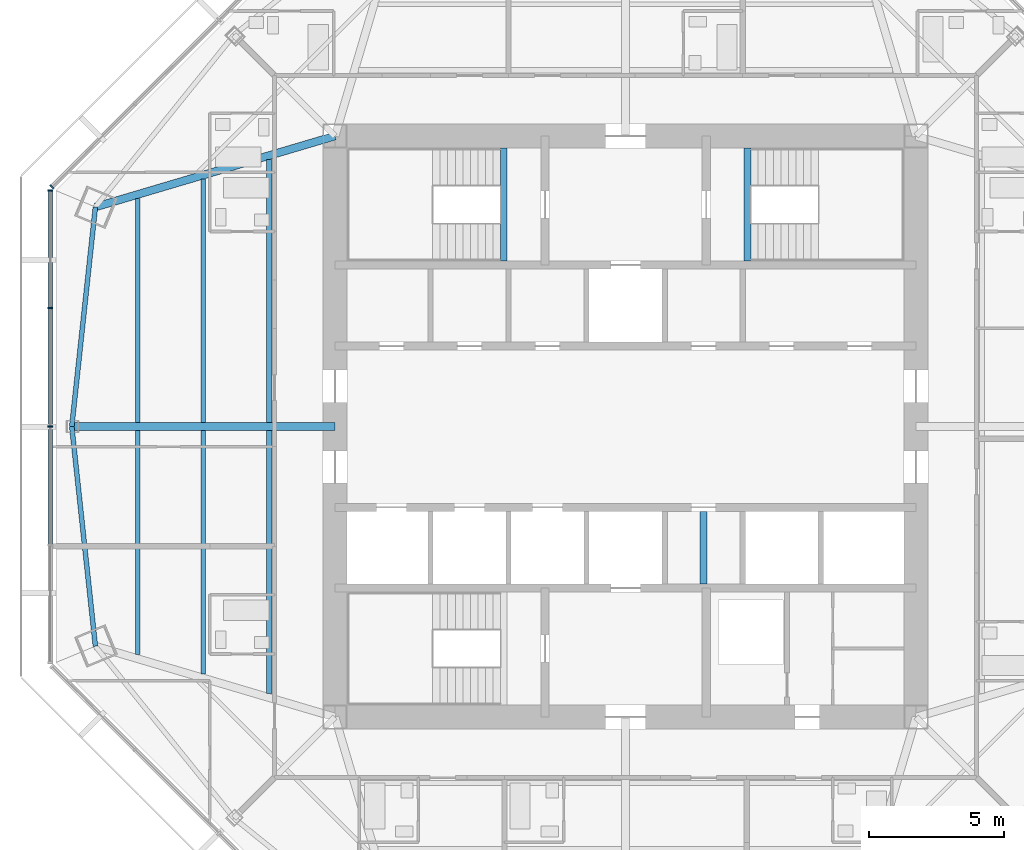
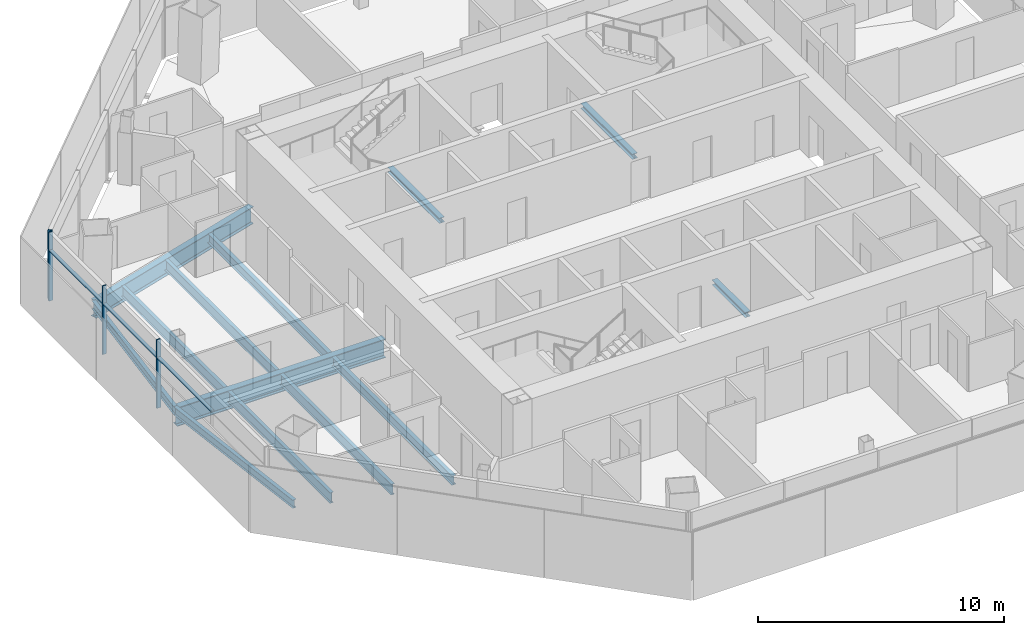
# One storey, part 4 of 15: 13 beams, 7 members, 2 elements without a shape of their own.
"""IFC4 building model written with IfcOpenShell, lengths in metres."""

from ifc_helpers import new_model, si_unit, direction, frame, origin, origin_2d, place, context, subcontext, project, spatial, rectangle, i_section, extrude, source, transform, mapped, material, material_profile, profile_set, type_object, type_shapes, element, aggregate, save


model = new_model("IFC4")

# Units and contexts
model_context = context("Model", 3, precision=1e-05, world=origin(), true_north=direction((0.0, 1.0)))
body_context = subcontext(model_context, "Body", "Model", "MODEL_VIEW")
ifc_project = project(units=[si_unit("LENGTHUNIT", "METRE"), si_unit("AREAUNIT", "SQUARE_METRE"), si_unit("VOLUMEUNIT", "CUBIC_METRE"), si_unit("PLANEANGLEUNIT", "RADIAN"), si_unit("MASSUNIT", "GRAM", prefix="KILO")], contexts=[model_context])

# Site, building, storey
site_placement = place(None, origin())
site = spatial("IfcSite", under=ifc_project, at=site_placement, CompositionType="ELEMENT")
building_placement = place(site_placement, origin())
building = spatial("IfcBuilding", under=site, at=building_placement, Name="Mashrafa Tower", CompositionType="ELEMENT")
storey_placement = place(building_placement, frame((0.0, 0.0, 234.60009765625)))
storey = spatial("IfcBuildingStorey", under=building, at=storey_placement, Name="L55", CompositionType="ELEMENT", Elevation=234.60009765625)

# Beams
ifc_material_1 = material(Name="Steel ASTM A992", Category="steel")
ifc_material_profile_1 = material_profile(ifc_material_1, i_section(OverallWidth=0.177734375, OverallDepth=0.406494140625, WebThickness=0.0078125, FlangeThickness=0.012939453125, FilletRadius=0.01025390625, at=origin_2d()), Name="W16X40")
ifc_profile_set_1 = profile_set([ifc_material_profile_1], Name="Steel ASTM A992")
beam_type_1 = type_object("IfcBeamType", Name="Beam W16X40", PredefinedType="BEAM", material=ifc_profile_set_1)
for number, where, z_axis, x_axis, name in (
    (1, (-20.583984375, 0.0, -0.4033203125), (0.106970984578, -0.994262142726, 0.0), (0.994262142726, 0.106970984578, 0.0), "Spandrel beam L55 049"),
    (2, (-19.705810546875, 8.162353515625, -0.4033203125), (-0.106970984578, -0.994262142726, 0.0), (0.994262142726, -0.106970984578, 0.0), "Spandrel beam L55 051"),
):
    element("IfcBeam", number, at=place(storey_placement, frame(where, z_axis=z_axis, x_axis=x_axis)), inside=storey, type_object=beam_type_1, Name=name, PredefinedType="BEAM", context=body_context, shape_type="SweptSolid", body=[
        extrude(i_section(OverallWidth=0.177734375, OverallDepth=0.406494140625, WebThickness=0.0078125, FlangeThickness=0.012939453125, FilletRadius=0.01025390625, at=origin_2d()), origin(), (0.0, 0.0, 1.0), 8.20947265625),
    ])
ifc_material_2 = material(Name="Steel ASTM A992", Category="steel")
ifc_material_profile_2 = material_profile(ifc_material_2, i_section(OverallWidth=0.191162109375, OverallDepth=0.459716796875, WebThickness=0.010009765625, FlangeThickness=0.01611328125, FilletRadius=0.01025390625, at=origin_2d()), Name="W18X55")
ifc_profile_set_2 = profile_set([ifc_material_profile_2], Name="Steel ASTM A992")
beam_type_2 = type_object("IfcBeamType", Name="Beam W18X55", PredefinedType="BEAM", material=ifc_profile_set_2)
for number, where, z_axis, x_axis, name in (
    (3, (-13.24609375, -9.92333984375, -0.429931640625), (0.0, 1.0, 0.0), (-1.0, 0.0, 0.0), "Floor beam L55 006"),
    (4, (-13.24609375, 0.15380859375, -0.429931640625), (0.0, 1.0, 0.0), (-1.0, 0.0, 0.0), "Floor beam L55 007"),
):
    element("IfcBeam", number, at=place(storey_placement, frame(where, z_axis=z_axis, x_axis=x_axis)), inside=storey, type_object=beam_type_2, Name=name, PredefinedType="BEAM", context=body_context, shape_type="SweptSolid", body=[
        extrude(i_section(OverallWidth=0.191162109375, OverallDepth=0.459716796875, WebThickness=0.010009765625, FlangeThickness=0.01611328125, FilletRadius=0.01025390625, at=origin_2d()), origin(), (0.0, 0.0, 1.0), 9.76953125),
    ])
ifc_material_3 = material(Name="Steel ASTM A992", Category="steel")
ifc_material_profile_3 = material_profile(ifc_material_3, i_section(OverallWidth=0.1650390625, OverallDepth=0.52587890625, WebThickness=0.0087890625, FlangeThickness=0.011474609375, FilletRadius=0.0126953125, at=origin_2d()), Name="W21X44")
ifc_profile_set_3 = profile_set([ifc_material_profile_3], Name="Steel ASTM A992")
beam_type_3 = type_object("IfcBeamType", Name="Beam W21X44", PredefinedType="BEAM", material=ifc_profile_set_3)
for number, where, z_axis, x_axis, name in (
    (5, (-15.69189453125, -9.198974609375, -0.462890625), (0.0, 1.0, 0.0), (-1.0, 0.0, 0.0), "Floor beam L55 004"),
    (6, (-15.69189453125, 0.15380859375, -0.462890625), (0.0, 1.0, 0.0), (-1.0, 0.0, 0.0), "Floor beam L55 005"),
):
    element("IfcBeam", number, at=place(storey_placement, frame(where, z_axis=z_axis, x_axis=x_axis)), inside=storey, type_object=beam_type_3, Name=name, PredefinedType="BEAM", context=body_context, shape_type="SweptSolid", body=[
        extrude(i_section(OverallWidth=0.1650390625, OverallDepth=0.52587890625, WebThickness=0.0087890625, FlangeThickness=0.011474609375, FilletRadius=0.0126953125, at=origin_2d()), origin(), (0.0, 0.0, 1.0), 9.045166015625),
    ])
ifc_material_4 = material(Name="Steel ASTM A992", Category="steel")
ifc_material_profile_4 = material_profile(ifc_material_4, i_section(OverallWidth=0.165771484375, OverallDepth=0.5283203125, WebThickness=0.009765625, FlangeThickness=0.013671875, FilletRadius=0.012939453125, at=origin_2d()), Name="W21X50")
ifc_profile_set_4 = profile_set([ifc_material_profile_4], Name="Steel ASTM A992")
beam_type_4 = type_object("IfcBeamType", Name="Beam W21X50", PredefinedType="BEAM", material=ifc_profile_set_4)
for number, where, z_axis, x_axis, name in (
    (7, (-18.137939453125, -8.474365234375, -0.46435546875), (0.0, 1.0, 0.0), (-1.0, 0.0, 0.0), "Floor beam L55 001"),
    (8, (-18.137939453125, 0.15380859375, -0.46435546875), (0.0, 1.0, 0.0), (-1.0, 0.0, 0.0), "Floor beam L55 002"),
):
    element("IfcBeam", number, at=place(storey_placement, frame(where, z_axis=z_axis, x_axis=x_axis)), inside=storey, type_object=beam_type_4, Name=name, PredefinedType="BEAM", context=body_context, shape_type="SweptSolid", body=[
        extrude(i_section(OverallWidth=0.165771484375, OverallDepth=0.5283203125, WebThickness=0.009765625, FlangeThickness=0.013671875, FilletRadius=0.012939453125, at=origin_2d()), origin(), (0.0, 0.0, 1.0), 8.320556640625),
    ])
ifc_material_5 = material(Name="Steel ASTM A992", Category="steel")
ifc_material_profile_5 = material_profile(ifc_material_5, i_section(OverallWidth=0.2919921875, OverallDepth=0.845703125, WebThickness=0.015380859375, FlangeThickness=0.0244140625, FilletRadius=0.017333984375, at=origin_2d()), Name="W33X141")
ifc_profile_set_5 = profile_set([ifc_material_profile_5], Name="Steel ASTM A992")
beam_type_5 = type_object("IfcBeamType", Name="Beam W33X141", PredefinedType="BEAM", material=ifc_profile_set_5)
beam_1_placement = place(storey_placement, frame((-10.800048828125, 10.800048828125, -0.623046875), z_axis=(-0.958828866985, -0.283984513375, 0.0), x_axis=(0.283984513375, -0.958828866985, 0.0)))
element("IfcBeam", 9, at=beam_1_placement, inside=storey, type_object=beam_type_5, Name="Radial girder L55 037", PredefinedType="BEAM", context=body_context, shape_type="SweptSolid", body=[
    extrude(i_section(OverallWidth=0.2919921875, OverallDepth=0.845703125, WebThickness=0.015380859375, FlangeThickness=0.0244140625, FilletRadius=0.017333984375, at=origin_2d()), origin(), (0.0, 0.0, 1.0), 9.2880859375),
])
ifc_material_6 = material(Name="Steel ASTM A992", Category="steel")
ifc_material_profile_6 = material_profile(ifc_material_6, i_section(OverallWidth=0.307373046875, OverallDepth=0.927001953125, WebThickness=0.01953125, FlangeThickness=0.031982421875, FilletRadius=0.01904296875, at=origin_2d()), Name="W36X194")
ifc_profile_set_6 = profile_set([ifc_material_profile_6], Name="Steel ASTM A992")
beam_type_6 = type_object("IfcBeamType", Name="Beam W36X194", PredefinedType="BEAM", material=ifc_profile_set_6)
beam_2_placement = place(storey_placement, frame((-10.800048828125, 0.0, -0.66357421875), z_axis=(-1.0, 0.0, 0.0), x_axis=(0.0, -1.0, 0.0)))
element("IfcBeam", 10, at=beam_2_placement, inside=storey, type_object=beam_type_6, Name="Radial girder L55 036", PredefinedType="BEAM", context=body_context, shape_type="SweptSolid", body=[
    extrude(i_section(OverallWidth=0.307373046875, OverallDepth=0.927001953125, WebThickness=0.01953125, FlangeThickness=0.031982421875, FilletRadius=0.01904296875, at=origin_2d()), origin(), (0.0, 0.0, 1.0), 9.783935546875),
])
ifc_material_7 = material(Name="Steel ASTM A992", Category="steel")
ifc_material_profile_7 = material_profile(ifc_material_7, i_section(OverallWidth=0.25390625, OverallDepth=0.25390625, WebThickness=0.008544921875, FlangeThickness=0.01416015625, FilletRadius=0.010009765625, at=origin_2d()), Name="W10X49")
ifc_profile_set_7 = profile_set([ifc_material_profile_7], Name="Steel ASTM A992")
beam_type_7 = type_object("IfcBeamType", Name="Hoistway beam W10X49", PredefinedType="BEAM", material=ifc_profile_set_7)
beam_3_placement = place(storey_placement, frame((2.89990234375, -5.85009765625, -0.3271484375), z_axis=(0.0, 1.0, 0.0), x_axis=(-1.0, 0.0, 0.0)))
element("IfcBeam", 11, at=beam_3_placement, inside=storey, type_object=beam_type_7, Name="Hoistway beam L55 07", PredefinedType="BEAM", context=body_context, shape_type="SweptSolid", body=[
    extrude(i_section(OverallWidth=0.25390625, OverallDepth=0.25390625, WebThickness=0.008544921875, FlangeThickness=0.01416015625, FilletRadius=0.010009765625, at=origin_2d()), origin(), (0.0, 0.0, 1.0), 2.7001953125),
])
for number, where, z_axis, x_axis, name in (
    (12, (-4.530029296875, 6.14990234375, -0.3271484375), (0.0, 1.0, 0.0), (-1.0, 0.0, 0.0), "Stair S1 landing beam L55"),
    (13, (4.530029296875, 6.14990234375, -0.3271484375), (0.0, 1.0, 0.0), (-1.0, 0.0, 0.0), "Stair S2 landing beam L55"),
):
    element("IfcBeam", number, at=place(storey_placement, frame(where, z_axis=z_axis, x_axis=x_axis)), inside=storey, type_object=beam_type_7, Name=name, PredefinedType="BEAM", context=body_context, shape_type="SweptSolid", body=[
        extrude(i_section(OverallWidth=0.25390625, OverallDepth=0.25390625, WebThickness=0.008544921875, FlangeThickness=0.01416015625, FilletRadius=0.010009765625, at=origin_2d()), origin(), (0.0, 0.0, 1.0), 4.2001953125),
    ])

# Curtain wall, member
ifc_material_8 = material(Name="Unitised aluminium curtain wall", Category="aluminium")
curtain_wall_type = type_object("IfcCurtainWallType", Name="Apartment curtain wall, zone 3 CW-C 180 deep", PredefinedType="NOTDEFINED", material=ifc_material_8)
curtain_wall_1_placement = place(storey_placement, origin())
curtain_wall_1 = element("IfcCurtainWall", 14, at=curtain_wall_1_placement, inside=storey, type_object=curtain_wall_type, Name="Apartment curtain wall, zone 3 L55 north-west", PredefinedType="NOTDEFINED")
ifc_material_9 = material(Name="Extruded aluminium mullion", Category="aluminium")
ifc_material_profile_8 = material_profile(ifc_material_9, rectangle(XDim=0.179931640625, YDim=0.06005859375, at=origin_2d()), Name="Mullion 60x180")
ifc_profile_set_8 = profile_set([ifc_material_profile_8], Name="Extruded aluminium mullion")
member_type_1 = type_object("IfcMemberType", Name="Mullion CW-C 60 x 180", PredefinedType="MULLION", material=ifc_profile_set_8)
shared_shape_1 = source(origin(), body_context, "Body", "SweptSolid", [
    extrude(rectangle(XDim=0.179931640625, YDim=0.06005859375, at=origin_2d()), origin(), (0.0, 0.0, 1.0), 3.39990234375),
])
type_shapes(member_type_1, [shared_shape_1])
member_1_placement = place(storey_placement, frame((-21.323486328125, 8.909912109375, 0.0), z_axis=(0.0, 0.0, 1.0), x_axis=(0.707106781187, -0.707106781187, 0.0)))
member_1 = element("IfcMember", 15, at=member_1_placement, type_object=member_type_1, Name="CW-C mullion 5", PredefinedType="MULLION", context=body_context, shape_type="MappedRepresentation", body=[
    mapped(shared_shape_1, transform((0.0, 0.0, 0.0))),
])
aggregate(curtain_wall_1, [member_1])

# Curtain wall, members
curtain_wall_2_placement = place(storey_placement, origin())
curtain_wall_2 = element("IfcCurtainWall", 16, at=curtain_wall_2_placement, inside=storey, type_object=curtain_wall_type, Name="Apartment curtain wall, zone 3 L55 west", PredefinedType="NOTDEFINED")
member_2_placement = place(storey_placement, frame((-21.378173828125, 8.77783203125, 0.0), z_axis=(0.0, 0.0, 1.0), x_axis=(1.0, 0.0, 0.0)))
member_2 = element("IfcMember", 17, at=member_2_placement, type_object=member_type_1, Name="CW-C mullion 1", PredefinedType="MULLION", context=body_context, shape_type="MappedRepresentation", body=[
    mapped(shared_shape_1, transform((0.0, 0.0, 0.0))),
])
member_3_placement = place(storey_placement, frame((-21.378173828125, 4.404052734375, 0.0), z_axis=(0.0, 0.0, 1.0), x_axis=(1.0, 0.0, 0.0)))
member_3 = element("IfcMember", 18, at=member_3_placement, type_object=member_type_1, Name="CW-C mullion 2", PredefinedType="MULLION", context=body_context, shape_type="MappedRepresentation", body=[
    mapped(shared_shape_1, transform((0.0, 0.0, 0.0))),
])
member_4_placement = place(storey_placement, frame((-21.378173828125, 0.0, 0.0), z_axis=(0.0, 0.0, 1.0), x_axis=(1.0, 0.0, 0.0)))
member_4 = element("IfcMember", 19, at=member_4_placement, type_object=member_type_1, Name="CW-C mullion 3", PredefinedType="MULLION", context=body_context, shape_type="MappedRepresentation", body=[
    mapped(shared_shape_1, transform((0.0, 0.0, 0.0))),
])
ifc_material_10 = material(Name="Extruded aluminium transom", Category="aluminium")
ifc_material_profile_9 = material_profile(ifc_material_10, rectangle(XDim=0.14404296875, YDim=0.074951171875, at=origin_2d()), Name="Transom 75x144")
ifc_profile_set_9 = profile_set([ifc_material_profile_9], Name="Extruded aluminium transom")
member_type_2 = type_object("IfcMemberType", Name="Transom CW-C 75 x 144", PredefinedType="MULLION", material=ifc_profile_set_9)
shared_shape_2 = source(origin(), body_context, "Body", "SweptSolid", [
    extrude(rectangle(XDim=0.14404296875, YDim=0.074951171875, at=origin_2d()), origin(), (0.0, 0.0, 1.0), 4.31396484375),
])
member_5_placement = place(storey_placement, frame((-21.378173828125, 8.747802734375, 2.5), z_axis=(0.0, -1.0, 0.0), x_axis=(1.0, 0.0, 0.0)))
member_5 = element("IfcMember", 20, at=member_5_placement, type_object=member_type_2, Name="CW-C transom 1", PredefinedType="MULLION", context=body_context, shape_type="MappedRepresentation", body=[
    mapped(shared_shape_2, transform((0.0, 0.0, 0.0))),
])
shared_shape_3 = source(origin(), body_context, "Body", "SweptSolid", [
    extrude(rectangle(XDim=0.14404296875, YDim=0.074951171875, at=origin_2d()), origin(), (0.0, 0.0, 1.0), 4.343994140625),
])
type_shapes(member_type_2, [shared_shape_2, shared_shape_3])
member_6_placement = place(storey_placement, frame((-21.378173828125, 4.3740234375, 2.5), z_axis=(0.0, -1.0, 0.0), x_axis=(1.0, 0.0, 0.0)))
member_6 = element("IfcMember", 21, at=member_6_placement, type_object=member_type_2, Name="CW-C transom 2", PredefinedType="MULLION", context=body_context, shape_type="MappedRepresentation", body=[
    mapped(shared_shape_3, transform((0.0, 0.0, 0.0))),
])
member_7_placement = place(storey_placement, frame((-21.378173828125, -0.030029296875, 2.5), z_axis=(0.0, -1.0, 0.0), x_axis=(1.0, 0.0, 0.0)))
member_7 = element("IfcMember", 22, at=member_7_placement, type_object=member_type_2, Name="CW-C transom 3", PredefinedType="MULLION", context=body_context, shape_type="MappedRepresentation", body=[
    mapped(shared_shape_3, transform((0.0, 0.0, 0.0))),
])
aggregate(curtain_wall_2, [member_2, member_3, member_4, member_5, member_6, member_7])

save(model, "model.ifc")
